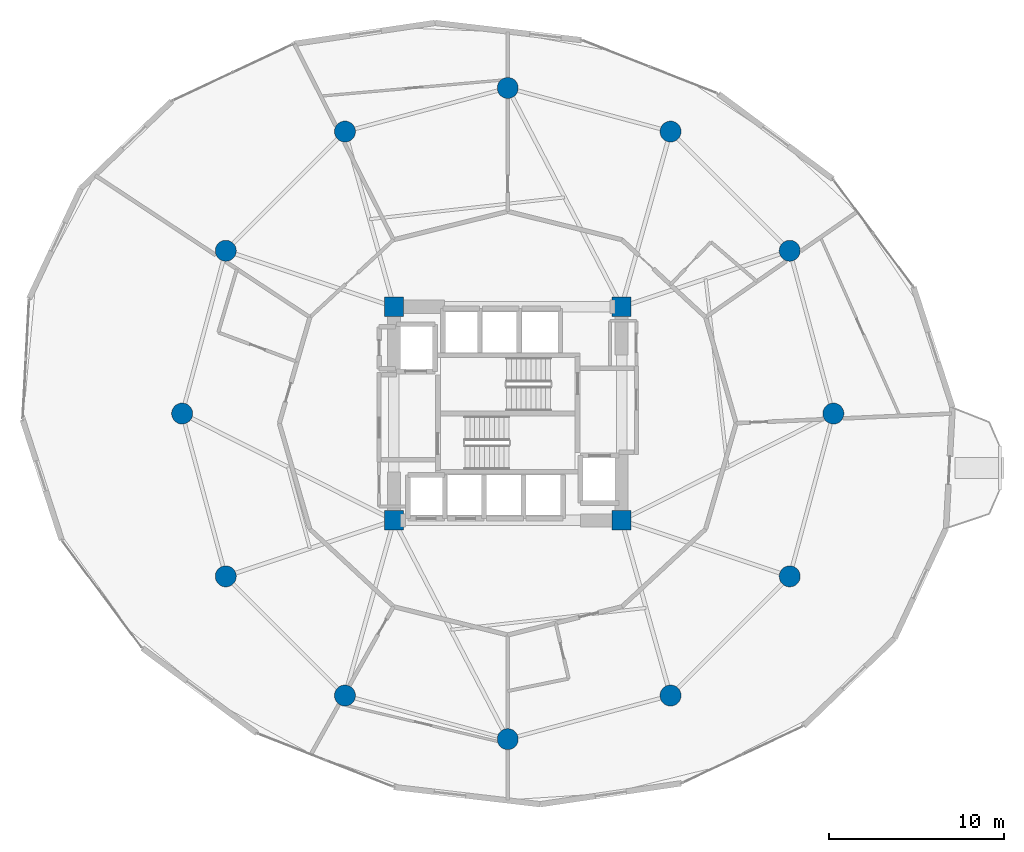
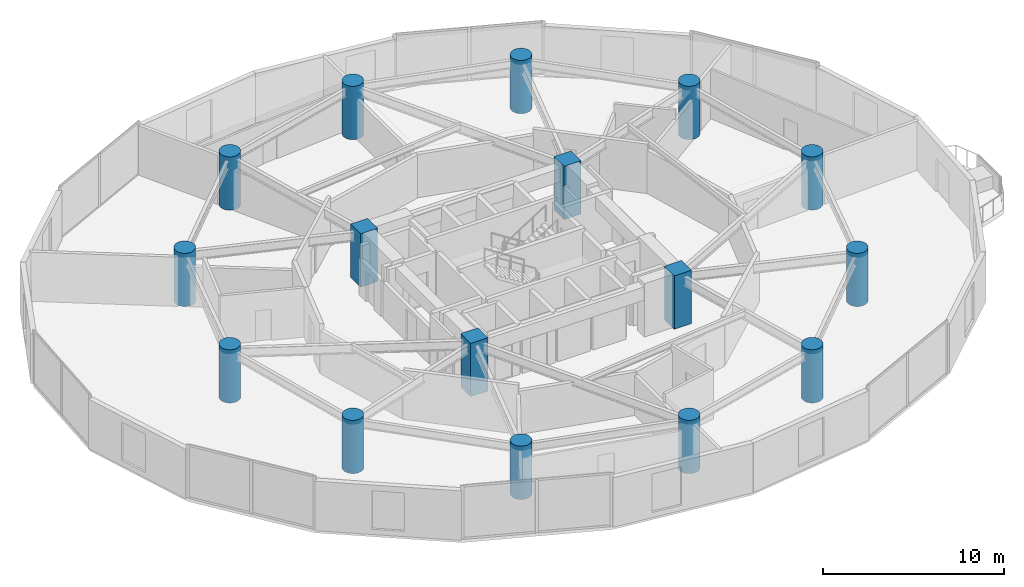
# One storey, part 1 of 25: 16 columns.
"""IFC4 building model written with IfcOpenShell, lengths in metres."""

import ifcopenshell
import ifcopenshell.guid

model = None  # the IFC model being written
_history = None  # IfcOwnerHistory: only IFC2X3 demands one
_inside = {}  # id of a spatial element -> (the spatial element, [elements in it])
_under = {}  # id of a project, library or spatial element -> (it, [spatial elements below it])
_declared = {}  # id of a project -> (the project, [libraries it declares])
_typed = {}  # id of a type object -> (the type object, [elements of that type])
_made_of = {}  # id of a material, layer set ... -> (it, [elements and type objects made of it])


def new_model(schema):
    """Start an empty IFC model of exactly this schema.

    Asked for "IFC4X3", IfcOpenShell would pick the latest addendum, in which some entities
    have other attributes; the version numbers below select the first issue.
    IFC2X3 requires an IfcOwnerHistory on every rooted entity: one is made here for all.
    """
    global model, _history
    if schema == "IFC4X3":
        model = ifcopenshell.file(schema_version=(4, 3, 0, 0))
    else:
        model = ifcopenshell.file(schema=schema)
    _inside.clear()
    _under.clear()
    _declared.clear()
    _typed.clear()
    _made_of.clear()
    _history = None
    if model.schema == "IFC2X3":
        org = make("IfcOrganization", Name="unknown")
        user = make(
            "IfcPersonAndOrganization",
            ThePerson=make("IfcPerson", FamilyName="unknown"),
            TheOrganization=org,
        )
        app = make(
            "IfcApplication",
            ApplicationDeveloper=org,
            Version="unknown",
            ApplicationFullName="unknown",
            ApplicationIdentifier="unknown",
        )
        _history = make(
            "IfcOwnerHistory",
            OwningUser=user,
            OwningApplication=app,
            ChangeAction="ADDED",
            CreationDate=0,
        )
    return model


def make(cls, **values):
    """One entity of the class cls with the attributes given. An attribute that is None is left unset."""
    return model.create_entity(
        cls, **{name: value for name, value in values.items() if value is not None}
    )


def rooted(cls, **values):
    """An entity with a GlobalId (a new one), such as an element, a storey or a relation."""
    return make(cls, GlobalId=ifcopenshell.guid.new(), OwnerHistory=_history, **values)


def si_unit(unit_type, name, prefix=None):
    """IfcSIUnit, for example si_unit("LENGTHUNIT", "METRE", prefix="MILLI")."""
    return make("IfcSIUnit", UnitType=unit_type, Prefix=prefix, Name=name)


def assignment(units):
    """IfcUnitAssignment: the units of a project."""
    return None if units is None else make("IfcUnitAssignment", Units=units)


def point(xyz):
    """IfcCartesianPoint."""
    return None if xyz is None else make("IfcCartesianPoint", Coordinates=xyz)


def direction(xyz):
    """IfcDirection."""
    return None if xyz is None else make("IfcDirection", DirectionRatios=xyz)


def frame(location, z_axis=None, x_axis=None):
    """IfcAxis2Placement3D, a coordinate frame: its origin and axes. An axis left out is left unset."""
    return make(
        "IfcAxis2Placement3D",
        Location=point(location),
        Axis=direction(z_axis),
        RefDirection=direction(x_axis),
    )


def frame_2d(location, x_axis=None):
    """IfcAxis2Placement2D, a coordinate frame in the plane: its origin and x axis."""
    return make(
        "IfcAxis2Placement2D", Location=point(location), RefDirection=direction(x_axis)
    )


def origin():
    """The frame at (0, 0, 0) with its axes left unset."""
    return frame((0.0, 0.0, 0.0))


def origin_2d():
    """The frame at (0, 0) in the plane with its x axis left unset."""
    return frame_2d((0.0, 0.0))


def place(relative_to, where):
    """IfcLocalPlacement: puts the frame where relative to a parent placement (None: the world)."""
    return make(
        "IfcLocalPlacement", PlacementRelTo=relative_to, RelativePlacement=where
    )


def context(
    kind, dimensions, precision=None, world=None, true_north=None, identifier=None
):
    """IfcGeometricRepresentationContext, for example the 3D "Model" context."""
    return make(
        "IfcGeometricRepresentationContext",
        ContextIdentifier=identifier,
        ContextType=kind,
        CoordinateSpaceDimension=dimensions,
        Precision=precision,
        WorldCoordinateSystem=world,
        TrueNorth=true_north,
    )


def subcontext(parent, identifier, kind, view, scale=None):
    """IfcGeometricRepresentationSubContext, for example "Body" below "Model"."""
    return make(
        "IfcGeometricRepresentationSubContext",
        ContextIdentifier=identifier,
        ContextType=kind,
        ParentContext=parent,
        TargetScale=scale,
        TargetView=view,
    )


def project(units=None, contexts=None):
    """IfcProject with its units and contexts."""
    return rooted(
        "IfcProject",
        Name="project",
        RepresentationContexts=contexts,
        UnitsInContext=assignment(units),
    )


def spatial(cls, under=None, at=None, **own):
    """A site, building, storey or space (cls), placed at a placement, below another one or the project."""
    s = rooted(cls, ObjectPlacement=at, **own)
    if under is not None:
        _under.setdefault(under.id(), (under, []))[1].append(s)
    return s


def profile(cls, at=None, kind="AREA", **sizes):
    """A parametric profile (cls). Its sizes go by their IFC names, for example OverallWidth=200.0."""
    return make(cls, ProfileType=kind, Position=at, **sizes)


def rectangle(**sizes):
    """IfcRectangleProfileDef."""
    return profile("IfcRectangleProfileDef", **sizes)


def circle(**sizes):
    """IfcCircleProfileDef."""
    return profile("IfcCircleProfileDef", **sizes)


def extrude(swept, where, along, depth):
    """IfcExtrudedAreaSolid: the profile swept, set in the frame where, extruded along a direction by depth."""
    return make(
        "IfcExtrudedAreaSolid",
        SweptArea=swept,
        Position=where,
        ExtrudedDirection=direction(along),
        Depth=depth,
    )


def shape(context_of_items, identifier, shape_type, items):
    """IfcShapeRepresentation: the items that make up one representation, for example the "Body"."""
    return make(
        "IfcShapeRepresentation",
        ContextOfItems=context_of_items,
        RepresentationIdentifier=identifier,
        RepresentationType=shape_type,
        Items=items,
    )


def material(Name=None, Category=None):
    """IfcMaterial."""
    return make("IfcMaterial", Name=Name, Category=Category)


def material_profile(
    of_material, cross_section, Name=None, Category=None, Priority=None
):
    """IfcMaterialProfile: a cross section and its material."""
    return make(
        "IfcMaterialProfile",
        Name=Name,
        Material=of_material,
        Profile=cross_section,
        Priority=Priority,
        Category=Category,
    )


def profile_set(profiles, Name=None, composite=None):
    """IfcMaterialProfileSet."""
    return make(
        "IfcMaterialProfileSet",
        Name=Name,
        MaterialProfiles=profiles,
        CompositeProfile=composite,
    )


def made_of(thing, what):
    """Note that an element or type object is made of a material, layer set ...; save() writes the relation."""
    if what is not None:
        _made_of.setdefault(what.id(), (what, []))[1].append(thing)
    return thing


def type_object(cls, material=None, **own):
    """A type object (cls), such as IfcWallType, which elements share."""
    return made_of(rooted(cls, **own), material)


def element(
    cls,
    number,
    at=None,
    inside=None,
    cuts=None,
    type_object=None,
    material=None,
    context=None,
    identifier="Body",
    shape_type=None,
    held_by="IfcProductDefinitionShape",
    body=None,
    shapes=None,
    **own,
):
    """One element of the class cls, such as IfcWall. Its Tag is "e" and its number.

    at: its placement. inside: the storey or other place that contains it. cuts: it is an
    opening in that element (IfcRelVoidsElement). A single representation is given by context,
    identifier, shape_type and body (its items); several are given by shapes. held_by: the class
    of the entity that holds the representations. save() writes the other relations.
    """
    e = rooted(cls, Tag="e%d" % number, ObjectPlacement=at, **own)
    if body is not None:
        shapes = [shape(context, identifier, shape_type, body)]
    if shapes is not None:
        e.Representation = make(held_by, Representations=shapes)
    if inside is not None:
        _inside.setdefault(inside.id(), (inside, []))[1].append(e)
    if cuts is not None:
        rooted(
            "IfcRelVoidsElement", RelatingBuildingElement=cuts, RelatedOpeningElement=e
        )
    if type_object is not None:
        _typed.setdefault(type_object.id(), (type_object, []))[1].append(e)
    return made_of(e, material)


def aggregate(whole, parts):
    """IfcRelAggregates: a whole, such as a stair, and the parts it consists of."""
    return rooted("IfcRelAggregates", RelatingObject=whole, RelatedObjects=parts)


def save(model, path):
    """Write the relations noted so far, then the file.

    IfcRelAggregates (storeys below a building ...), IfcRelContainedInSpatialStructure (elements
    in a storey), IfcRelDefinesByType, IfcRelAssociatesMaterial and IfcRelDeclares: one each for
    every whole, place, type object, material and project.
    """
    for whole, parts in _under.values():
        aggregate(whole, parts)
    for where, things in _inside.values():
        rooted(
            "IfcRelContainedInSpatialStructure",
            RelatedElements=things,
            RelatingStructure=where,
        )
    for kind, things in _typed.values():
        rooted("IfcRelDefinesByType", RelatedObjects=things, RelatingType=kind)
    for what, things in _made_of.values():
        rooted("IfcRelAssociatesMaterial", RelatedObjects=things, RelatingMaterial=what)
    for by, libraries in _declared.values():
        rooted("IfcRelDeclares", RelatingContext=by, RelatedDefinitions=libraries)
    model.write(path)


model = new_model("IFC4")

# Units and contexts
model_context = context("Model", 3, precision=1e-05, world=origin(), true_north=direction((0.0, 1.0)))
body_context = subcontext(model_context, "Body", "Model", "MODEL_VIEW")
ifc_project = project(units=[si_unit("LENGTHUNIT", "METRE"), si_unit("AREAUNIT", "SQUARE_METRE"), si_unit("VOLUMEUNIT", "CUBIC_METRE"), si_unit("PLANEANGLEUNIT", "RADIAN"), si_unit("MASSUNIT", "GRAM", prefix="KILO")], contexts=[model_context])

# Site, building, storey
site_placement = place(None, origin())
site = spatial("IfcSite", under=ifc_project, at=site_placement, CompositionType="ELEMENT")
building_placement = place(site_placement, origin())
building = spatial("IfcBuilding", under=site, at=building_placement, Name="Solvirekh Grand Hotel", CompositionType="ELEMENT")
storey_placement = place(building_placement, frame((0.0, 0.0, 57.199951171875)))
storey = spatial("IfcBuildingStorey", under=building, at=storey_placement, Name="L13", CompositionType="ELEMENT", Elevation=57.199951171875)

# Columns
ifc_material = material(Name="Concrete C60/75", Category="concrete")
ifc_material_profile_1 = material_profile(ifc_material, rectangle(XDim=1.10009765625, YDim=1.10009765625, at=origin_2d()), Name="RC 1100X1100")
ifc_profile_set_1 = profile_set([ifc_material_profile_1], Name="Concrete C60/75")
column_type_1 = type_object("IfcColumnType", Name="Col_Core_1100", PredefinedType="COLUMN", material=ifc_profile_set_1)
for number, where, z_axis, x_axis, name in (
    (1, (-6.5, -6.10009765625, 0.0), (0.0, 0.0, 1.0), (1.0, 0.0, 0.0), "L13 core corner column CC1"),
    (2, (6.5, -6.10009765625, 0.0), (0.0, 0.0, 1.0), (1.0, 0.0, 0.0), "L13 core corner column CC2"),
    (3, (6.5, 6.10009765625, 0.0), (0.0, 0.0, 1.0), (1.0, 0.0, 0.0), "L13 core corner column CC3"),
    (4, (-6.5, 6.10009765625, 0.0), (0.0, 0.0, 1.0), (1.0, 0.0, 0.0), "L13 core corner column CC4"),
):
    element("IfcColumn", number, at=place(storey_placement, frame(where, z_axis=z_axis, x_axis=x_axis)), inside=storey, type_object=column_type_1, Name=name, PredefinedType="COLUMN", context=body_context, shape_type="SweptSolid", body=[
        extrude(rectangle(XDim=1.10009765625, YDim=1.10009765625, at=origin_2d()), origin(), (0.0, 0.0, 1.0), 3.60009765625),
    ])
ifc_material_profile_2 = material_profile(ifc_material, circle(Radius=0.60009765625, at=origin_2d()), Name="RC CIRC D1200")
ifc_profile_set_2 = profile_set([ifc_material_profile_2], Name="Concrete C60/75")
column_type_2 = type_object("IfcColumnType", Name="Col_Z1_D1200", PredefinedType="COLUMN", material=ifc_profile_set_2)
for number, where, z_axis, x_axis, name in (
    (5, (18.60009765625, 0.0, 0.0), (0.0, 0.0, 1.0), (1.0, 0.0, 0.0), "L13 perimeter column P01"),
    (6, (16.10791015625, 9.300048828125, 0.0), (0.0, 0.0, 1.0), (1.0, 0.0, 0.0), "L13 perimeter column P02"),
    (7, (9.300048828125, 16.10791015625, 0.0), (0.0, 0.0, 1.0), (1.0, 0.0, 0.0), "L13 perimeter column P03"),
    (8, (0.0, 18.60009765625, 0.0), (0.0, 0.0, 1.0), (1.0, 0.0, 0.0), "L13 perimeter column P04"),
    (9, (-9.300048828125, 16.10791015625, 0.0), (0.0, 0.0, 1.0), (1.0, 0.0, 0.0), "L13 perimeter column P05"),
    (10, (-16.10791015625, 9.300048828125, 0.0), (0.0, 0.0, 1.0), (1.0, 0.0, 0.0), "L13 perimeter column P06"),
    (11, (-18.60009765625, 0.0, 0.0), (0.0, 0.0, 1.0), (1.0, 0.0, 0.0), "L13 perimeter column P07"),
    (12, (-16.10791015625, -9.300048828125, 0.0), (0.0, 0.0, 1.0), (1.0, 0.0, 0.0), "L13 perimeter column P08"),
    (13, (-9.300048828125, -16.10791015625, 0.0), (0.0, 0.0, 1.0), (1.0, 0.0, 0.0), "L13 perimeter column P09"),
    (14, (0.0, -18.60009765625, 0.0), (0.0, 0.0, 1.0), (1.0, 0.0, 0.0), "L13 perimeter column P10"),
    (15, (9.300048828125, -16.10791015625, 0.0), (0.0, 0.0, 1.0), (1.0, 0.0, 0.0), "L13 perimeter column P11"),
    (16, (16.10791015625, -9.300048828125, 0.0), (0.0, 0.0, 1.0), (1.0, 0.0, 0.0), "L13 perimeter column P12"),
):
    element("IfcColumn", number, at=place(storey_placement, frame(where, z_axis=z_axis, x_axis=x_axis)), inside=storey, type_object=column_type_2, Name=name, PredefinedType="COLUMN", context=body_context, shape_type="SweptSolid", body=[
        extrude(circle(Radius=0.60009765625, at=origin_2d()), origin(), (0.0, 0.0, 1.0), 3.60009765625),
    ])

save(model, "model.ifc")
